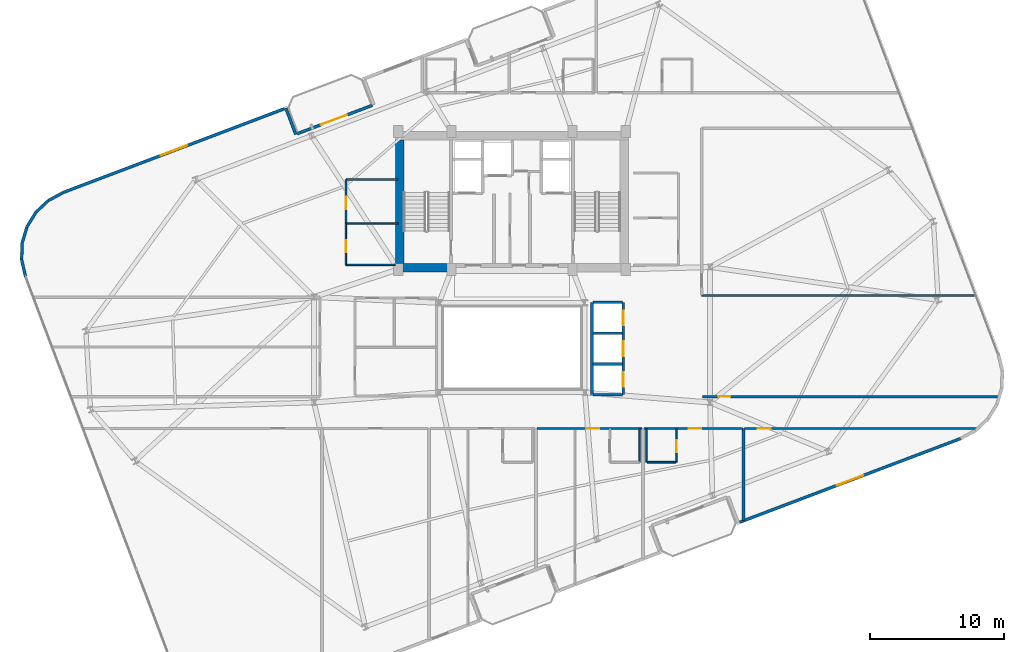
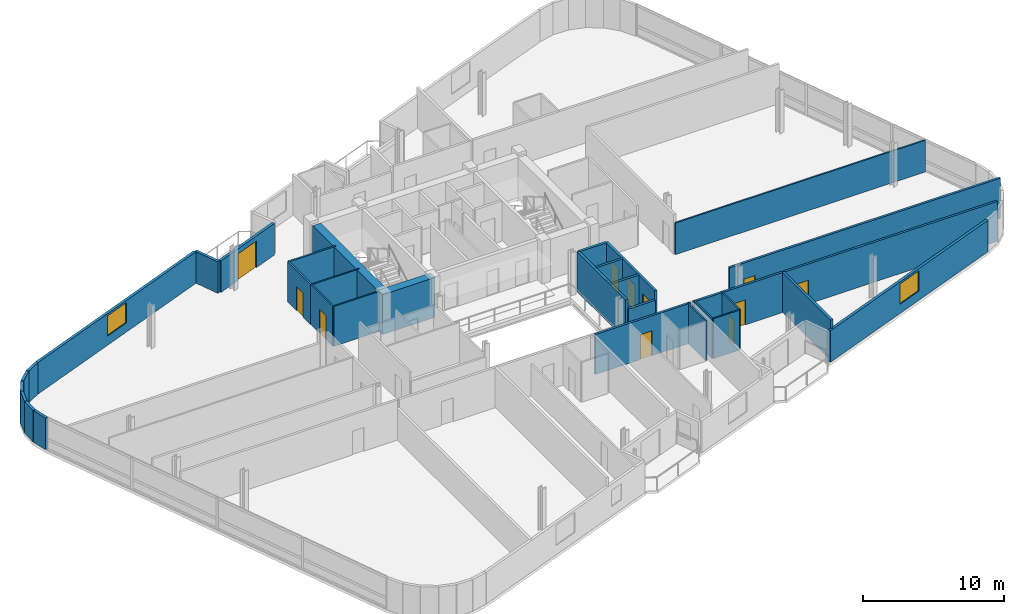
# One storey, part 15 of 20: 33 walls, 11 doors, 2 windows, 13 openings.
"""IFC4 building model written with IfcOpenShell, lengths in metres."""

from ifc_helpers import new_model, si_unit, direction, frame, frame_2d, origin, place, context, subcontext, project, spatial, rectangle, extrude, material, layer, layer_set, type_object, element, fill, save


model = new_model("IFC4")

# Units and contexts
model_context = context("Model", 3, precision=1e-05, world=origin(), true_north=direction((0.0, 1.0)))
body_context = subcontext(model_context, "Body", "Model", "MODEL_VIEW")
ifc_project = project(units=[si_unit("LENGTHUNIT", "METRE"), si_unit("AREAUNIT", "SQUARE_METRE"), si_unit("VOLUMEUNIT", "CUBIC_METRE"), si_unit("PLANEANGLEUNIT", "RADIAN"), si_unit("MASSUNIT", "GRAM", prefix="KILO")], contexts=[model_context])

# Site, building, storey
site_placement = place(None, origin())
site = spatial("IfcSite", under=ifc_project, at=site_placement, CompositionType="ELEMENT")
building_placement = place(site_placement, origin())
building = spatial("IfcBuilding", under=site, at=building_placement, Name="Varnelok Gate Tower", CompositionType="ELEMENT")
storey_placement = place(building_placement, frame((0.0, 0.0, 234.89990234375)))
storey = spatial("IfcBuildingStorey", under=building, at=storey_placement, Name="L60", CompositionType="ELEMENT", Elevation=234.89990234375)

# Wall, opening, door
ifc_material_1 = material(Name="Concrete C45/55", Category="concrete")
ifc_layer_1 = layer(ifc_material_1, 0.219970703125)
ifc_layer_set_1 = layer_set([ifc_layer_1], Name="Concrete C45/55")
wall_type_1 = type_object("IfcWallType", Name="EW-BALC-220", PredefinedType="SOLIDWALL", material=ifc_layer_set_1)
wall_1_placement = place(storey_placement, frame((23.1494140625, 38.88720703125, 0.0), z_axis=(0.0, 0.0, 1.0), x_axis=(0.9352192676, 0.354069091436, 0.0)))
wall_1 = element("IfcWall", 1, at=wall_1_placement, inside=storey, type_object=wall_type_1, Name="L60 North Terrace Envelope Wall 3", PredefinedType="SOLIDWALL", context=body_context, shape_type="SweptSolid", body=[
    extrude(rectangle(XDim=6.000244140625, YDim=0.219970703125, at=frame_2d((3.0, 0.0))), origin(), (0.0, 0.0, 1.0), 2.72998046875),
])
opening_1_placement = place(wall_1_placement, frame((1.887939453125, 0.0, 0.0)))
opening_1 = element("IfcOpeningElement", 2, at=opening_1_placement, cuts=wall_1, Name="Opening BD-2", PredefinedType="OPENING", context=body_context, shape_type="SweptSolid", body=[
    extrude(rectangle(XDim=2.10009765625, YDim=2.300048828125, at=frame_2d((1.050048828125, 1.14990234375))), frame((0.0, 0.119873046875, 0.0), z_axis=(0.0, -1.0, 0.0), x_axis=(1.0, 0.0, 0.0)), (0.0, 0.0, 1.0), 0.239990234375),
])
ifc_material_2 = material(Name="Anodized Aluminum Alloy 6063-T6", Category="aluminium")
door_type_1 = type_object("IfcDoorType", Name="DR-EXT-SLID2100", OperationType="SLIDING_TO_LEFT", PredefinedType="DOOR", material=ifc_material_2)
door_1_placement = place(opening_1_placement, origin())
door_1 = element("IfcDoor", 3, at=door_1_placement, inside=storey, type_object=door_type_1, Name="L60 North Balcony Glazed Door 3", OperationType="SLIDING_TO_LEFT", OverallHeight=2.300048828125, OverallWidth=2.10009765625, PredefinedType="DOOR", context=body_context, shape_type="SweptSolid", body=[
    extrude(rectangle(XDim=2.10009765625, YDim=2.300048828125, at=frame_2d((1.050048828125, 1.14990234375))), frame((0.0, 0.02490234375, 0.0), z_axis=(0.0, -1.0, 0.0), x_axis=(1.0, 0.0, 0.0)), (0.0, 0.0, 1.0), 0.050048828125),
])
fill(opening_1, door_1)

# Wall, opening, window
wall_2_placement = place(storey_placement, frame((56.219482421875, 9.844970703125, 0.0), z_axis=(0.0, 0.0, 1.0), x_axis=(0.935225601791, 0.354052360188, 0.0)))
wall_2 = element("IfcWall", 4, at=wall_2_placement, inside=storey, type_object=wall_type_1, Name="L60 Perimeter Facade Closure Wall 13", PredefinedType="SOLIDWALL", context=body_context, shape_type="SweptSolid", body=[
    extrude(rectangle(XDim=17.647216796875, YDim=0.219970703125, at=frame_2d((8.82373046875, 0.0))), origin(), (0.0, 0.0, 1.0), 2.72998046875),
])
opening_2_placement = place(wall_2_placement, frame((7.773681640625, 0.0, 0.800048828125)))
opening_2 = element("IfcOpeningElement", 5, at=opening_2_placement, cuts=wall_2, Name="Opening WN4", PredefinedType="OPENING", context=body_context, shape_type="SweptSolid", body=[
    extrude(rectangle(XDim=2.10009765625, YDim=1.75, at=frame_2d((1.050048828125, 0.875))), frame((0.0, 0.119873046875, 0.0), z_axis=(0.0, -1.0, 0.0), x_axis=(1.0, 0.0, 0.0)), (0.0, 0.0, 1.0), 0.239990234375),
])
ifc_material_3 = material(Name="Low-E Laminated Double Glazing IGU", Category="glass")
window_type = type_object("IfcWindowType", Name="WN-SUI-2100", PartitioningType="SINGLE_PANEL", PredefinedType="WINDOW", material=ifc_material_3)
window_1_placement = place(opening_2_placement, origin())
window_1 = element("IfcWindow", 6, at=window_1_placement, inside=storey, type_object=window_type, Name="L60 Perimeter Vision Window 13", OverallHeight=1.75, OverallWidth=2.10009765625, PartitioningType="SINGLE_PANEL", PredefinedType="WINDOW", context=body_context, shape_type="SweptSolid", body=[
    extrude(rectangle(XDim=2.10009765625, YDim=1.75, at=frame_2d((1.050048828125, 0.875))), frame((0.0, 0.030029296875, 0.0), z_axis=(0.0, -1.0, 0.0), x_axis=(1.0, 0.0, 0.0)), (0.0, 0.0, 1.0), 0.06005859375),
])
fill(opening_2, window_1)

# Wall
wall_3_placement = place(storey_placement, frame((23.041015625, 38.83544921875, 0.0), z_axis=(0.0, 0.0, 1.0), x_axis=(-0.354128469405, 0.935196785258, 0.0)))
element("IfcWall", 7, at=wall_3_placement, inside=storey, type_object=wall_type_1, Name="L60 Perimeter Facade Closure Wall 31", PredefinedType="SOLIDWALL", context=body_context, shape_type="SweptSolid", body=[
    extrude(rectangle(XDim=2.099853515625, YDim=0.219970703125, at=frame_2d((1.0498046875, 0.0))), origin(), (0.0, 0.0, 1.0), 2.72998046875),
])

# Wall, opening, window
wall_4_placement = place(storey_placement, frame((22.180419921875, 40.755126953125, 0.0), z_axis=(0.0, 0.0, 1.0), x_axis=(-0.935223867561, -0.354056941104, 0.0)))
wall_4 = element("IfcWall", 8, at=wall_4_placement, inside=storey, type_object=wall_type_1, Name="L60 Perimeter Facade Closure Wall 32", PredefinedType="SOLIDWALL", context=body_context, shape_type="SweptSolid", body=[
    extrude(rectangle(XDim=17.64697265625, YDim=0.219970703125, at=frame_2d((8.823486328125, 0.0))), origin(), (0.0, 0.0, 1.0), 2.72998046875),
])
opening_3_placement = place(wall_4_placement, frame((7.773681640625, 0.0, 0.800048828125)))
opening_3 = element("IfcOpeningElement", 9, at=opening_3_placement, cuts=wall_4, Name="Opening WN4", PredefinedType="OPENING", context=body_context, shape_type="SweptSolid", body=[
    extrude(rectangle(XDim=2.10009765625, YDim=1.75, at=frame_2d((1.050048828125, 0.875))), frame((0.0, 0.119873046875, 0.0), z_axis=(0.0, -1.0, 0.0), x_axis=(1.0, 0.0, 0.0)), (0.0, 0.0, 1.0), 0.239990234375),
])
window_2_placement = place(opening_3_placement, origin())
window_2 = element("IfcWindow", 10, at=window_2_placement, inside=storey, type_object=window_type, Name="L60 Perimeter Vision Window 32", OverallHeight=1.75, OverallWidth=2.10009765625, PartitioningType="SINGLE_PANEL", PredefinedType="WINDOW", context=body_context, shape_type="SweptSolid", body=[
    extrude(rectangle(XDim=2.10009765625, YDim=1.75, at=frame_2d((1.050048828125, 0.875))), frame((0.0, 0.030029296875, 0.0), z_axis=(0.0, -1.0, 0.0), x_axis=(1.0, 0.0, 0.0)), (0.0, 0.0, 1.0), 0.06005859375),
])
fill(opening_3, window_2)

# Walls
wall_5_placement = place(storey_placement, frame((5.654296875, 34.4951171875, 0.0), z_axis=(0.0, 0.0, 1.0), x_axis=(-0.88098842986, -0.473137809155, 0.0)))
element("IfcWall", 11, at=wall_5_placement, inside=storey, type_object=wall_type_1, Name="L60 Perimeter Facade Closure Wall 33", PredefinedType="SOLIDWALL", context=body_context, shape_type="SweptSolid", body=[
    extrude(rectangle(XDim=1.25634765625, YDim=0.219970703125, at=frame_2d((0.628173828125, 0.0))), origin(), (0.0, 0.0, 1.0), 2.72998046875),
])
wall_6_placement = place(storey_placement, frame((4.529052734375, 33.883544921875, 0.0), z_axis=(0.0, 0.0, 1.0), x_axis=(-0.728475443486, -0.685071914647, 0.0)))
element("IfcWall", 12, at=wall_6_placement, inside=storey, type_object=wall_type_1, Name="L60 Perimeter Facade Closure Wall 34", PredefinedType="SOLIDWALL", context=body_context, shape_type="SweptSolid", body=[
    extrude(rectangle(XDim=1.248779296875, YDim=0.219970703125, at=frame_2d((0.62451171875, 0.0))), origin(), (0.0, 0.0, 1.0), 2.72998046875),
])
wall_7_placement = place(storey_placement, frame((3.606201171875, 33.0068359375, 0.0), z_axis=(0.0, 0.0, 1.0), x_axis=(-0.526408468713, -0.850231806078, 0.0)))
element("IfcWall", 13, at=wall_7_placement, inside=storey, type_object=wall_type_1, Name="L60 Perimeter Facade Closure Wall 35", PredefinedType="SOLIDWALL", context=body_context, shape_type="SweptSolid", body=[
    extrude(rectangle(XDim=1.24853515625, YDim=0.219970703125, at=frame_2d((0.624267578125, 0.0))), origin(), (0.0, 0.0, 1.0), 2.72998046875),
])
wall_8_placement = place(storey_placement, frame((2.941650390625, 31.92138671875, 0.0), z_axis=(0.0, 0.0, 1.0), x_axis=(-0.288352095019, -0.957524448408, 0.0)))
element("IfcWall", 14, at=wall_8_placement, inside=storey, type_object=wall_type_1, Name="L60 Perimeter Facade Closure Wall 36", PredefinedType="SOLIDWALL", context=body_context, shape_type="SweptSolid", body=[
    extrude(rectangle(XDim=1.248779296875, YDim=0.219970703125, at=frame_2d((0.62451171875, 0.0))), origin(), (0.0, 0.0, 1.0), 2.72998046875),
])
wall_9_placement = place(storey_placement, frame((2.580810546875, 30.70068359375, 0.0), z_axis=(0.0, 0.0, 1.0), x_axis=(-0.030697576053, -0.999528718359, 0.0)))
element("IfcWall", 15, at=wall_9_placement, inside=storey, type_object=wall_type_1, Name="L60 Perimeter Facade Closure Wall 37", PredefinedType="SOLIDWALL", context=body_context, shape_type="SweptSolid", body=[
    extrude(rectangle(XDim=1.24853515625, YDim=0.219970703125, at=frame_2d((0.624267578125, 0.0))), origin(), (0.0, 0.0, 1.0), 2.72998046875),
])
wall_10_placement = place(storey_placement, frame((2.548095703125, 29.428466796875, 0.0), z_axis=(0.0, 0.0, 1.0), x_axis=(0.228941257463, -0.973440239887, 0.0)))
element("IfcWall", 16, at=wall_10_placement, inside=storey, type_object=wall_type_1, Name="L60 Perimeter Facade Closure Wall 38", PredefinedType="SOLIDWALL", context=body_context, shape_type="SweptSolid", body=[
    extrude(rectangle(XDim=1.248779296875, YDim=0.219970703125, at=frame_2d((0.62451171875, 0.0))), origin(), (0.0, 0.0, 1.0), 2.72998046875),
])

# Wall, opening, door
ifc_material_4 = material(Name="Gypsum Plasterboard Acoustic Partition", Category="gypsum")
ifc_layer_2 = layer(ifc_material_4, 0.179931640625)
ifc_layer_set_2 = layer_set([ifc_layer_2], Name="Gypsum Plasterboard Acoustic Partition")
wall_type_2 = type_object("IfcWallType", Name="PW-CORR-180", PredefinedType="PARTITIONING", material=ifc_layer_set_2)
wall_11_placement = place(storey_placement, frame((41.080078125, 16.85009765625, 0.0), z_axis=(0.0, 0.0, 1.0), x_axis=(1.0, 0.0, 0.0)))
wall_11 = element("IfcWall", 17, at=wall_11_placement, inside=storey, type_object=wall_type_2, Name="Interior Partition", PredefinedType="PARTITIONING", context=body_context, shape_type="SweptSolid", body=[
    extrude(rectangle(XDim=7.83984375, YDim=0.179931640625, at=frame_2d((3.919921875, 0.0))), origin(), (0.0, 0.0, 1.0), 3.4501953125),
])
opening_4_placement = place(wall_11_placement, frame((3.679931640625, 0.0, 0.0)))
opening_4 = element("IfcOpeningElement", 18, at=opening_4_placement, cuts=wall_11, Name="Opening D-HT", PredefinedType="OPENING", context=body_context, shape_type="SweptSolid", body=[
    extrude(rectangle(XDim=0.949951171875, YDim=2.14990234375, at=frame_2d((0.47509765625, 1.074951171875))), frame((0.0, 0.099853515625, 0.0), z_axis=(0.0, -1.0, 0.0), x_axis=(1.0, 0.0, 0.0)), (0.0, 0.0, 1.0), 0.199951171875),
])
ifc_material_5 = material(Name="Engineered Hardwood Timber", Category="wood")
door_type_2 = type_object("IfcDoorType", Name="DR-HTL-950", OperationType="NOTDEFINED", PredefinedType="DOOR", material=ifc_material_5)
door_2_placement = place(opening_4_placement, origin())
door_2 = element("IfcDoor", 19, at=door_2_placement, inside=storey, type_object=door_type_2, Name="L60 Guest Room 04 Entrance Door", OperationType="SINGLE_SWING_LEFT", OverallHeight=2.14990234375, OverallWidth=0.949951171875, PredefinedType="DOOR", context=body_context, shape_type="SweptSolid", body=[
    extrude(rectangle(XDim=0.949951171875, YDim=2.14990234375, at=frame_2d((0.47509765625, 1.074951171875))), frame((0.0, 0.02490234375, 0.0), z_axis=(0.0, -1.0, 0.0), x_axis=(1.0, 0.0, 0.0)), (0.0, 0.0, 1.0), 0.050048828125),
])
fill(opening_4, door_2)

wall_12_placement = place(storey_placement, frame((49.080078125, 16.85009765625, 0.0), z_axis=(0.0, 0.0, 1.0), x_axis=(1.0, 0.0, 0.0)))
wall_12 = element("IfcWall", 20, at=wall_12_placement, inside=storey, type_object=wall_type_2, Name="Interior Partition", PredefinedType="PARTITIONING", context=body_context, shape_type="SweptSolid", body=[
    extrude(rectangle(XDim=7.33984375, YDim=0.179931640625, at=frame_2d((3.669921875, 0.0))), origin(), (0.0, 0.0, 1.0), 3.4501953125),
])
opening_5_placement = place(wall_12_placement, frame((3.322021484375, 0.0, 0.0)))
opening_5 = element("IfcOpeningElement", 21, at=opening_5_placement, cuts=wall_12, Name="Opening D-HT", PredefinedType="OPENING", context=body_context, shape_type="SweptSolid", body=[
    extrude(rectangle(XDim=0.949951171875, YDim=2.14990234375, at=frame_2d((0.47509765625, 1.074951171875))), frame((0.0, 0.099853515625, 0.0), z_axis=(0.0, -1.0, 0.0), x_axis=(1.0, 0.0, 0.0)), (0.0, 0.0, 1.0), 0.199951171875),
])
door_3_placement = place(opening_5_placement, origin())
door_3 = element("IfcDoor", 22, at=door_3_placement, inside=storey, type_object=door_type_2, Name="L60 Guest Room 05 Entrance Door", OperationType="SINGLE_SWING_RIGHT", OverallHeight=2.14990234375, OverallWidth=0.949951171875, PredefinedType="DOOR", context=body_context, shape_type="SweptSolid", body=[
    extrude(rectangle(XDim=0.949951171875, YDim=2.14990234375, at=frame_2d((0.47509765625, 1.074951171875))), frame((0.0, 0.02490234375, 0.0), z_axis=(0.0, -1.0, 0.0), x_axis=(1.0, 0.0, 0.0)), (0.0, 0.0, 1.0), 0.050048828125),
])
fill(opening_5, door_3)

wall_13_placement = place(storey_placement, frame((56.580078125, 16.85009765625, 0.0), z_axis=(0.0, 0.0, 1.0), x_axis=(1.0, 0.0, 0.0)))
wall_13 = element("IfcWall", 23, at=wall_13_placement, inside=storey, type_object=wall_type_2, Name="Interior Partition", PredefinedType="PARTITIONING", context=body_context, shape_type="SweptSolid", body=[
    extrude(rectangle(XDim=17.403564453125, YDim=0.179931640625, at=frame_2d((8.70166015625, 0.0))), origin(), (0.0, 0.0, 1.0), 3.4501953125),
])
opening_6_placement = place(wall_13_placement, frame((0.9951171875, 0.0, 0.0)))
opening_6 = element("IfcOpeningElement", 24, at=opening_6_placement, cuts=wall_13, Name="Opening D-I2", PredefinedType="OPENING", context=body_context, shape_type="SweptSolid", body=[
    extrude(rectangle(XDim=0.949951171875, YDim=2.050048828125, at=frame_2d((0.47509765625, 1.02490234375))), frame((0.0, 0.099853515625, 0.0), z_axis=(0.0, -1.0, 0.0), x_axis=(1.0, 0.0, 0.0)), (0.0, 0.0, 1.0), 0.199951171875),
])
door_type_3 = type_object("IfcDoorType", Name="DR-INT-950", OperationType="NOTDEFINED", PredefinedType="DOOR", material=ifc_material_5)
door_4_placement = place(opening_6_placement, origin())
door_4 = element("IfcDoor", 25, at=door_4_placement, inside=storey, type_object=door_type_3, Name="L60 Hotel Business Center Door", OperationType="SINGLE_SWING_LEFT", OverallHeight=2.050048828125, OverallWidth=0.949951171875, PredefinedType="DOOR", context=body_context, shape_type="SweptSolid", body=[
    extrude(rectangle(XDim=0.949951171875, YDim=2.050048828125, at=frame_2d((0.47509765625, 1.02490234375))), frame((0.0, 0.02490234375, 0.0), z_axis=(0.0, -1.0, 0.0), x_axis=(1.0, 0.0, 0.0)), (0.0, 0.0, 1.0), 0.050048828125),
])
fill(opening_6, door_4)

wall_14_placement = place(storey_placement, frame((53.449951171875, 19.239990234375, 0.0), z_axis=(0.0, 0.0, 1.0), x_axis=(1.0, 0.0, 0.0)))
wall_14 = element("IfcWall", 26, at=wall_14_placement, inside=storey, type_object=wall_type_2, Name="Interior Partition", PredefinedType="PARTITIONING", context=body_context, shape_type="SweptSolid", body=[
    extrude(rectangle(XDim=22.156494140625, YDim=0.179931640625, at=frame_2d((11.078125, 0.0))), origin(), (0.0, 0.0, 1.0), 3.4501953125),
])
opening_7_placement = place(wall_14_placement, frame((1.14990234375, 0.0, 0.0)))
opening_7 = element("IfcOpeningElement", 27, at=opening_7_placement, cuts=wall_14, Name="Opening D-I3", PredefinedType="OPENING", context=body_context, shape_type="SweptSolid", body=[
    extrude(rectangle(XDim=0.919921875, YDim=2.050048828125, at=frame_2d((0.4599609375, 1.02490234375))), frame((0.0, 0.099853515625, 0.0), z_axis=(0.0, -1.0, 0.0), x_axis=(1.0, 0.0, 0.0)), (0.0, 0.0, 1.0), 0.199951171875),
])
door_type_4 = type_object("IfcDoorType", Name="DR-INT-920", OperationType="NOTDEFINED", PredefinedType="DOOR", material=ifc_material_5)
door_5_placement = place(opening_7_placement, origin())
door_5 = element("IfcDoor", 28, at=door_5_placement, inside=storey, type_object=door_type_4, Name="L60 East Studio Door", OperationType="SINGLE_SWING_LEFT", OverallHeight=2.050048828125, OverallWidth=0.919921875, PredefinedType="DOOR", context=body_context, shape_type="SweptSolid", body=[
    extrude(rectangle(XDim=0.919921875, YDim=2.050048828125, at=frame_2d((0.4599609375, 1.02490234375))), frame((0.0, 0.02490234375, 0.0), z_axis=(0.0, -1.0, 0.0), x_axis=(1.0, 0.0, 0.0)), (0.0, 0.0, 1.0), 0.050048828125),
])
fill(opening_7, door_5)

# Walls
ifc_layer_3 = layer(ifc_material_4, 0.114990234375)
ifc_layer_set_3 = layer_set([ifc_layer_3], Name="Gypsum Plasterboard Acoustic Partition")
wall_type_3 = type_object("IfcWallType", Name="PW-ENS-125", PredefinedType="PARTITIONING", material=ifc_layer_set_3)
wall_15_placement = place(storey_placement, frame((48.739990234375, 14.330078125, 0.0), z_axis=(0.0, 0.0, 1.0), x_axis=(0.0, 1.0, 0.0)))
element("IfcWall", 29, at=wall_15_placement, inside=storey, type_object=wall_type_3, Name="Interior Partition", PredefinedType="PARTITIONING", context=body_context, shape_type="SweptSolid", body=[
    extrude(rectangle(XDim=2.52001953125, YDim=0.114990234375, at=frame_2d((1.260009765625, 0.0))), origin(), (0.0, 0.0, 1.0), 3.4501953125),
])
wall_16_placement = place(storey_placement, frame((49.300048828125, 14.330078125, 0.0), z_axis=(0.0, 0.0, 1.0), x_axis=(1.0, 0.0, 0.0)))
element("IfcWall", 30, at=wall_16_placement, inside=storey, type_object=wall_type_3, Name="Interior Partition", PredefinedType="PARTITIONING", context=body_context, shape_type="SweptSolid", body=[
    extrude(rectangle(XDim=2.14990234375, YDim=0.114990234375, at=frame_2d((1.074951171875, 0.0))), origin(), (0.0, 0.0, 1.0), 3.4501953125),
])

# Wall, opening, door
wall_17_placement = place(storey_placement, frame((51.489990234375, 14.330078125, 0.0), z_axis=(0.0, 0.0, 1.0), x_axis=(0.0, 1.0, 0.0)))
wall_17 = element("IfcWall", 31, at=wall_17_placement, inside=storey, type_object=wall_type_3, Name="Interior Partition", PredefinedType="PARTITIONING", context=body_context, shape_type="SweptSolid", body=[
    extrude(rectangle(XDim=2.52001953125, YDim=0.114990234375, at=frame_2d((1.260009765625, 0.0))), origin(), (0.0, 0.0, 1.0), 3.4501953125),
])
opening_8_placement = place(wall_17_placement, frame((0.760009765625, 0.0, 0.0)))
opening_8 = element("IfcOpeningElement", 32, at=opening_8_placement, cuts=wall_17, Name="Opening D-WC", PredefinedType="OPENING", context=body_context, shape_type="SweptSolid", body=[
    extrude(rectangle(XDim=0.89990234375, YDim=2.050048828125, at=frame_2d((0.449951171875, 1.02490234375))), frame((0.0, 0.0673828125, 0.0), z_axis=(0.0, -1.0, 0.0), x_axis=(1.0, 0.0, 0.0)), (0.0, 0.0, 1.0), 0.135009765625),
])
door_type_5 = type_object("IfcDoorType", Name="DR-BATH-900", OperationType="NOTDEFINED", PredefinedType="DOOR", material=ifc_material_5)
door_6_placement = place(opening_8_placement, origin())
door_6 = element("IfcDoor", 33, at=door_6_placement, inside=storey, type_object=door_type_5, Name="L60 Guest En-Suite 05 Door", OperationType="SINGLE_SWING_LEFT", OverallHeight=2.050048828125, OverallWidth=0.89990234375, PredefinedType="DOOR", context=body_context, shape_type="SweptSolid", body=[
    extrude(rectangle(XDim=0.89990234375, YDim=2.050048828125, at=frame_2d((0.449951171875, 1.02490234375))), frame((0.0, 0.02490234375, 0.0), z_axis=(0.0, -1.0, 0.0), x_axis=(1.0, 0.0, 0.0)), (0.0, 0.0, 1.0), 0.050048828125),
])
fill(opening_8, door_6)

# Walls
wall_18_placement = place(storey_placement, frame((49.260009765625, 14.330078125, 0.0), z_axis=(0.0, 0.0, 1.0), x_axis=(0.0, 1.0, 0.0)))
element("IfcWall", 34, at=wall_18_placement, inside=storey, type_object=wall_type_3, Name="Interior Partition", PredefinedType="PARTITIONING", context=body_context, shape_type="SweptSolid", body=[
    extrude(rectangle(XDim=2.52001953125, YDim=0.114990234375, at=frame_2d((1.260009765625, 0.0))), origin(), (0.0, 0.0, 1.0), 3.4501953125),
])
wall_19_placement = place(storey_placement, frame((26.800048828125, 32.18994140625, 0.0), z_axis=(0.0, 0.0, 1.0), x_axis=(1.0, 0.0, 0.0)))
element("IfcWall", 35, at=wall_19_placement, inside=storey, type_object=wall_type_3, Name="Interior Partition", PredefinedType="PARTITIONING", context=body_context, shape_type="SweptSolid", body=[
    extrude(rectangle(XDim=3.8798828125, YDim=0.114990234375, at=frame_2d((1.93994140625, 0.0))), origin(), (0.0, 0.0, 1.0), 3.4501953125),
])
wall_20_placement = place(storey_placement, frame((26.780029296875, 29.080078125, 0.0), z_axis=(0.0, 0.0, 1.0), x_axis=(1.0, 0.0, 0.0)))
element("IfcWall", 36, at=wall_20_placement, inside=storey, type_object=wall_type_3, Name="Interior Partition", PredefinedType="PARTITIONING", context=body_context, shape_type="SweptSolid", body=[
    extrude(rectangle(XDim=3.699951171875, YDim=0.114990234375, at=frame_2d((1.85009765625, 0.0))), origin(), (0.0, 0.0, 1.0), 3.4501953125),
])

# Wall, opening, door
wall_21_placement = place(storey_placement, frame((26.780029296875, 29.080078125, 0.0), z_axis=(0.0, 0.0, 1.0), x_axis=(0.0, 1.0, 0.0)))
wall_21 = element("IfcWall", 37, at=wall_21_placement, inside=storey, type_object=wall_type_3, Name="Interior Partition", PredefinedType="PARTITIONING", context=body_context, shape_type="SweptSolid", body=[
    extrude(rectangle(XDim=3.10986328125, YDim=0.114990234375, at=frame_2d((1.554931640625, 0.0))), origin(), (0.0, 0.0, 1.0), 3.4501953125),
])
opening_9_placement = place(wall_21_placement, frame((0.949951171875, 0.0, 0.0)))
opening_9 = element("IfcOpeningElement", 38, at=opening_9_placement, cuts=wall_21, Name="Opening D-WC", PredefinedType="OPENING", context=body_context, shape_type="SweptSolid", body=[
    extrude(rectangle(XDim=0.89990234375, YDim=2.050048828125, at=frame_2d((0.449951171875, 1.02490234375))), frame((0.0, 0.0673828125, 0.0), z_axis=(0.0, -1.0, 0.0), x_axis=(1.0, 0.0, 0.0)), (0.0, 0.0, 1.0), 0.135009765625),
])
door_7_placement = place(opening_9_placement, origin())
door_7 = element("IfcDoor", 39, at=door_7_placement, inside=storey, type_object=door_type_5, Name="L60 Core Floor WC Door", OperationType="SINGLE_SWING_LEFT", OverallHeight=2.050048828125, OverallWidth=0.89990234375, PredefinedType="DOOR", context=body_context, shape_type="SweptSolid", body=[
    extrude(rectangle(XDim=0.89990234375, YDim=2.050048828125, at=frame_2d((0.449951171875, 1.02490234375))), frame((0.0, 0.02490234375, 0.0), z_axis=(0.0, -1.0, 0.0), x_axis=(1.0, 0.0, 0.0)), (0.0, 0.0, 1.0), 0.050048828125),
])
fill(opening_9, door_7)

# Walls
ifc_layer_4 = layer(ifc_material_4, 0.125)
ifc_layer_set_4 = layer_set([ifc_layer_4], Name="Gypsum Plasterboard Acoustic Partition")
wall_type_4 = type_object("IfcWallType", Name="PW-PART-125", PredefinedType="PARTITIONING", material=ifc_layer_set_4)
wall_22_placement = place(storey_placement, frame((53.389892578125, 26.800048828125, 0.0), z_axis=(0.0, 0.0, 1.0), x_axis=(1.0, 0.0, 0.0)))
element("IfcWall", 40, at=wall_22_placement, inside=storey, type_object=wall_type_4, Name="Interior Partition", PredefinedType="PARTITIONING", context=body_context, shape_type="SweptSolid", body=[
    extrude(rectangle(XDim=20.4453125, YDim=0.125, at=frame_2d((10.22265625, 0.0))), origin(), (0.0, 0.0, 1.0), 2.739013671875),
])
ifc_layer_5 = layer(ifc_material_4, 0.14990234375)
ifc_layer_set_5 = layer_set([ifc_layer_5], Name="Gypsum Plasterboard Acoustic Partition")
wall_type_5 = type_object("IfcWallType", Name="PW-PART-150", PredefinedType="PARTITIONING", material=ifc_layer_set_5)
wall_23_placement = place(storey_placement, frame((26.780029296875, 35.4599609375, 0.0), z_axis=(0.0, 0.0, 1.0), x_axis=(1.0, 0.0, 0.0)))
element("IfcWall", 41, at=wall_23_placement, inside=storey, type_object=wall_type_5, Name="Interior Partition", PredefinedType="PARTITIONING", context=body_context, shape_type="SweptSolid", body=[
    extrude(rectangle(XDim=3.89990234375, YDim=0.14990234375, at=frame_2d((1.949951171875, 0.0))), origin(), (0.0, 0.0, 1.0), 3.4501953125),
])

# Wall, opening, door
wall_24_placement = place(storey_placement, frame((26.780029296875, 32.18994140625, 0.0), z_axis=(0.0, 0.0, 1.0), x_axis=(0.0, 1.0, 0.0)))
wall_24 = element("IfcWall", 42, at=wall_24_placement, inside=storey, type_object=wall_type_5, Name="Interior Partition", PredefinedType="PARTITIONING", context=body_context, shape_type="SweptSolid", body=[
    extrude(rectangle(XDim=3.27001953125, YDim=0.14990234375, at=frame_2d((1.635009765625, 0.0))), origin(), (0.0, 0.0, 1.0), 3.4501953125),
])
opening_10_placement = place(wall_24_placement, frame((1.050048828125, 0.0, 0.0)))
opening_10 = element("IfcOpeningElement", 43, at=opening_10_placement, cuts=wall_24, Name="Opening D-I3", PredefinedType="OPENING", context=body_context, shape_type="SweptSolid", body=[
    extrude(rectangle(XDim=0.919921875, YDim=2.050048828125, at=frame_2d((0.4599609375, 1.02490234375))), frame((0.0, 0.0849609375, 0.0), z_axis=(0.0, -1.0, 0.0), x_axis=(1.0, 0.0, 0.0)), (0.0, 0.0, 1.0), 0.169921875),
])
door_8_placement = place(opening_10_placement, origin())
door_8 = element("IfcDoor", 44, at=door_8_placement, inside=storey, type_object=door_type_4, Name="L60 Core Pantry Door", OperationType="SINGLE_SWING_RIGHT", OverallHeight=2.050048828125, OverallWidth=0.919921875, PredefinedType="DOOR", context=body_context, shape_type="SweptSolid", body=[
    extrude(rectangle(XDim=0.919921875, YDim=2.050048828125, at=frame_2d((0.4599609375, 1.02490234375))), frame((0.0, 0.02490234375, 0.0), z_axis=(0.0, -1.0, 0.0), x_axis=(1.0, 0.0, 0.0)), (0.0, 0.0, 1.0), 0.050048828125),
])
fill(opening_10, door_8)

# Walls
ifc_layer_6 = layer(ifc_material_4, 0.205078125)
ifc_layer_set_6 = layer_set([ifc_layer_6], Name="Gypsum Plasterboard Acoustic Partition")
wall_type_6 = type_object("IfcWallType", Name="PW-PARTY-200", PredefinedType="PARTITIONING", material=ifc_layer_set_6)
wall_25_placement = place(storey_placement, frame((56.5, 9.972412109375, 0.0), z_axis=(0.0, 0.0, 1.0), x_axis=(0.0, 1.0, 0.0)))
element("IfcWall", 45, at=wall_25_placement, inside=storey, type_object=wall_type_6, Name="L60 South Party Wall 5", PredefinedType="PARTITIONING", context=body_context, shape_type="SweptSolid", body=[
    extrude(rectangle(XDim=6.877685546875, YDim=0.205078125, at=frame_2d((3.43896484375, 0.0))), origin(), (0.0, 0.0, 1.0), 3.4501953125),
])
ifc_material_6 = material(Name="Concrete C35/45", Category="concrete")
ifc_layer_7 = layer(ifc_material_6, 0.199951171875)
ifc_layer_set_7 = layer_set([ifc_layer_7], Name="Concrete C35/45")
wall_type_7 = type_object("IfcWallType", Name="PW-SHAFT-200", PredefinedType="PARTITIONING", material=ifc_layer_set_7)
for number, where, z_axis, x_axis, name in (
    (46, (45.239990234375, 21.675048828125, 0.0), (0.0, 0.0, 1.0), (1.0, 0.0, 0.0), "L60 PH1 Divider"),
    (47, (45.239990234375, 23.97509765625, 0.0), (0.0, 0.0, 1.0), (1.0, 0.0, 0.0), "L60 PH2 Divider"),
):
    element("IfcWall", number, at=place(storey_placement, frame(where, z_axis=z_axis, x_axis=x_axis)), inside=storey, type_object=wall_type_7, Name=name, PredefinedType="PARTITIONING", context=body_context, shape_type="SweptSolid", body=[
        extrude(rectangle(XDim=2.219970703125, YDim=0.199951171875, at=frame_2d((1.10986328125, 0.0))), origin(), (0.0, 0.0, 1.0), 3.4501953125),
    ])
wall_26_placement = place(storey_placement, frame((45.239990234375, 19.3798828125, 0.0), z_axis=(0.0, 0.0, 1.0), x_axis=(1.0, 0.0, 0.0)))
element("IfcWall", 48, at=wall_26_placement, inside=storey, type_object=wall_type_7, Name="L60 PH Bank South Wall", PredefinedType="PARTITIONING", context=body_context, shape_type="SweptSolid", body=[
    extrude(rectangle(XDim=2.219970703125, YDim=0.199951171875, at=frame_2d((1.10986328125, 0.0))), origin(), (0.0, 0.0, 1.0), 2.662109375),
])
wall_27_placement = place(storey_placement, frame((45.239990234375, 26.280029296875, 0.0), z_axis=(0.0, 0.0, 1.0), x_axis=(1.0, 0.0, 0.0)))
element("IfcWall", 49, at=wall_27_placement, inside=storey, type_object=wall_type_7, Name="L60 PH Bank North Wall", PredefinedType="PARTITIONING", context=body_context, shape_type="SweptSolid", body=[
    extrude(rectangle(XDim=2.219970703125, YDim=0.199951171875, at=frame_2d((1.10986328125, 0.0))), origin(), (0.0, 0.0, 1.0), 3.4501953125),
])
wall_28_placement = place(storey_placement, frame((45.179931640625, 19.3798828125, 0.0), z_axis=(0.0, 0.0, 1.0), x_axis=(0.0, 1.0, 0.0)))
element("IfcWall", 50, at=wall_28_placement, inside=storey, type_object=wall_type_7, Name="L60 PH Bank Atrium Wall", PredefinedType="PARTITIONING", context=body_context, shape_type="SweptSolid", body=[
    extrude(rectangle(XDim=6.900146484375, YDim=0.199951171875, at=frame_2d((3.4501953125, 0.0))), origin(), (0.0, 0.0, 1.0), 3.4501953125),
])

# Wall, openings, doors
wall_29_placement = place(storey_placement, frame((47.52001953125, 19.3798828125, 0.0), z_axis=(0.0, 0.0, 1.0), x_axis=(0.0, 1.0, 0.0)))
wall_29 = element("IfcWall", 51, at=wall_29_placement, inside=storey, type_object=wall_type_7, Name="L60 PH Bank Front Wall", PredefinedType="PARTITIONING", context=body_context, shape_type="SweptSolid", body=[
    extrude(rectangle(XDim=6.900146484375, YDim=0.199951171875, at=frame_2d((3.4501953125, 0.0))), origin(), (0.0, 0.0, 1.0), 3.4501953125),
])
opening_11_placement = place(wall_29_placement, frame((0.590087890625, 0.0, 0.0)))
opening_11 = element("IfcOpeningElement", 52, at=opening_11_placement, cuts=wall_29, Name="Opening LD-PH1", PredefinedType="OPENING", context=body_context, shape_type="SweptSolid", body=[
    extrude(rectangle(XDim=1.10009765625, YDim=2.14990234375, at=frame_2d((0.550048828125, 1.074951171875))), frame((0.0, 0.10986328125, 0.0), z_axis=(0.0, -1.0, 0.0), x_axis=(1.0, 0.0, 0.0)), (0.0, 0.0, 1.0), 0.219970703125),
])
opening_12_placement = place(wall_29_placement, frame((2.889892578125, 0.0, 0.0)))
opening_12 = element("IfcOpeningElement", 53, at=opening_12_placement, cuts=wall_29, Name="Opening LD-PH2", PredefinedType="OPENING", context=body_context, shape_type="SweptSolid", body=[
    extrude(rectangle(XDim=1.10009765625, YDim=2.14990234375, at=frame_2d((0.550048828125, 1.074951171875))), frame((0.0, 0.10986328125, 0.0), z_axis=(0.0, -1.0, 0.0), x_axis=(1.0, 0.0, 0.0)), (0.0, 0.0, 1.0), 0.219970703125),
])
opening_13_placement = place(wall_29_placement, frame((5.18994140625, 0.0, 0.0)))
opening_13 = element("IfcOpeningElement", 54, at=opening_13_placement, cuts=wall_29, Name="Opening LD-PH3", PredefinedType="OPENING", context=body_context, shape_type="SweptSolid", body=[
    extrude(rectangle(XDim=1.10009765625, YDim=2.14990234375, at=frame_2d((0.550048828125, 1.074951171875))), frame((0.0, 0.10986328125, 0.0), z_axis=(0.0, -1.0, 0.0), x_axis=(1.0, 0.0, 0.0)), (0.0, 0.0, 1.0), 0.219970703125),
])
ifc_material_7 = material(Name="Galvanized Steel Grade S350GD", Category="steel")
door_type_6 = type_object("IfcDoorType", Name="DR-LIFT-PAX1100", OperationType="SLIDING_TO_LEFT", PredefinedType="DOOR", material=ifc_material_7)
door_9_placement = place(opening_11_placement, origin())
door_9 = element("IfcDoor", 55, at=door_9_placement, inside=storey, type_object=door_type_6, Name="L60 Passenger Lift Landing Door LD-PH1", OperationType="SLIDING_TO_LEFT", OverallHeight=2.14990234375, OverallWidth=1.10009765625, PredefinedType="DOOR", context=body_context, shape_type="SweptSolid", body=[
    extrude(rectangle(XDim=1.10009765625, YDim=2.14990234375, at=frame_2d((0.550048828125, 1.074951171875))), frame((0.0, 0.02490234375, 0.0), z_axis=(0.0, -1.0, 0.0), x_axis=(1.0, 0.0, 0.0)), (0.0, 0.0, 1.0), 0.050048828125),
])
fill(opening_11, door_9)
door_10_placement = place(opening_12_placement, origin())
door_10 = element("IfcDoor", 56, at=door_10_placement, inside=storey, type_object=door_type_6, Name="L60 Passenger Lift Landing Door LD-PH2", OperationType="SLIDING_TO_LEFT", OverallHeight=2.14990234375, OverallWidth=1.10009765625, PredefinedType="DOOR", context=body_context, shape_type="SweptSolid", body=[
    extrude(rectangle(XDim=1.10009765625, YDim=2.14990234375, at=frame_2d((0.550048828125, 1.074951171875))), frame((0.0, 0.02490234375, 0.0), z_axis=(0.0, -1.0, 0.0), x_axis=(1.0, 0.0, 0.0)), (0.0, 0.0, 1.0), 0.050048828125),
])
fill(opening_12, door_10)
door_11_placement = place(opening_13_placement, origin())
door_11 = element("IfcDoor", 57, at=door_11_placement, inside=storey, type_object=door_type_6, Name="L60 Passenger Lift Landing Door LD-PH3", OperationType="SLIDING_TO_LEFT", OverallHeight=2.14990234375, OverallWidth=1.10009765625, PredefinedType="DOOR", context=body_context, shape_type="SweptSolid", body=[
    extrude(rectangle(XDim=1.10009765625, YDim=2.14990234375, at=frame_2d((0.550048828125, 1.074951171875))), frame((0.0, 0.02490234375, 0.0), z_axis=(0.0, -1.0, 0.0), x_axis=(1.0, 0.0, 0.0)), (0.0, 0.0, 1.0), 0.050048828125),
])
fill(opening_13, door_11)

# Walls
ifc_material_8 = material(Name="Concrete C60/75", Category="concrete")
ifc_layer_8 = layer(ifc_material_8, 0.64990234375)
ifc_layer_set_8 = layer_set([ifc_layer_8], Name="Concrete C60/75")
wall_type_8 = type_object("IfcWallType", Name="SW-CORE-650", PredefinedType="SHEAR", material=ifc_layer_set_8)
wall_30_placement = place(storey_placement, frame((30.804931640625, 29.199951171875, 0.0), z_axis=(0.0, 0.0, 1.0), x_axis=(0.0, 1.0, 0.0)))
element("IfcWall", 58, at=wall_30_placement, inside=storey, type_object=wall_type_8, Name="L60 Rear Core West Shear Wall", PredefinedType="SHEAR", context=body_context, shape_type="SweptSolid", body=[
    extrude(rectangle(XDim=9.219970703125, YDim=0.64990234375, at=frame_2d((4.60986328125, 0.0))), origin(), (0.0, 0.0, 1.0), 3.4501953125),
])
wall_31_placement = place(storey_placement, frame((30.47998046875, 28.875, 0.0), z_axis=(0.0, 0.0, 1.0), x_axis=(1.0, 0.0, 0.0)))
element("IfcWall", 59, at=wall_31_placement, inside=storey, type_object=wall_type_8, Name="L60 Rear Core South-West Shear Wall", PredefinedType="SHEAR", context=body_context, shape_type="SweptSolid", body=[
    extrude(rectangle(XDim=4.320068359375, YDim=0.64990234375, at=frame_2d((2.16015625, 0.0))), origin(), (0.0, 0.0, 1.0), 3.4501953125),
])

save(model, "model.ifc")
